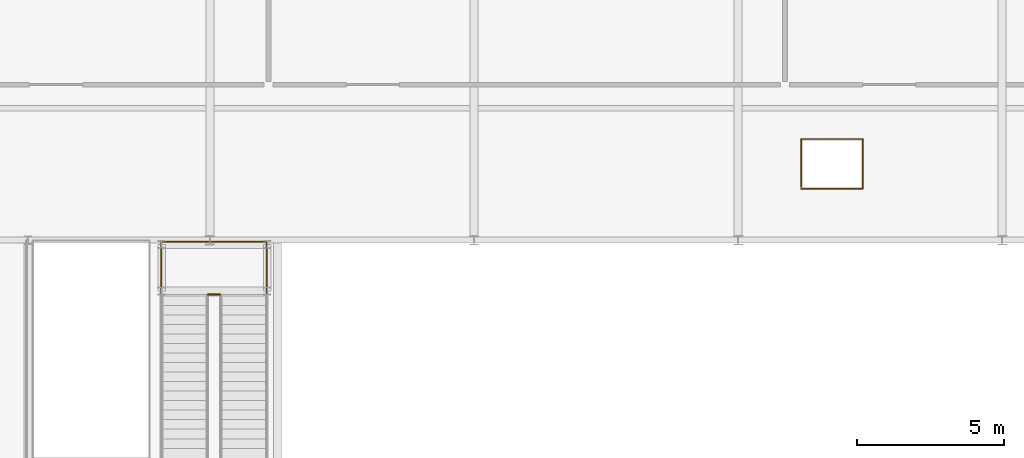
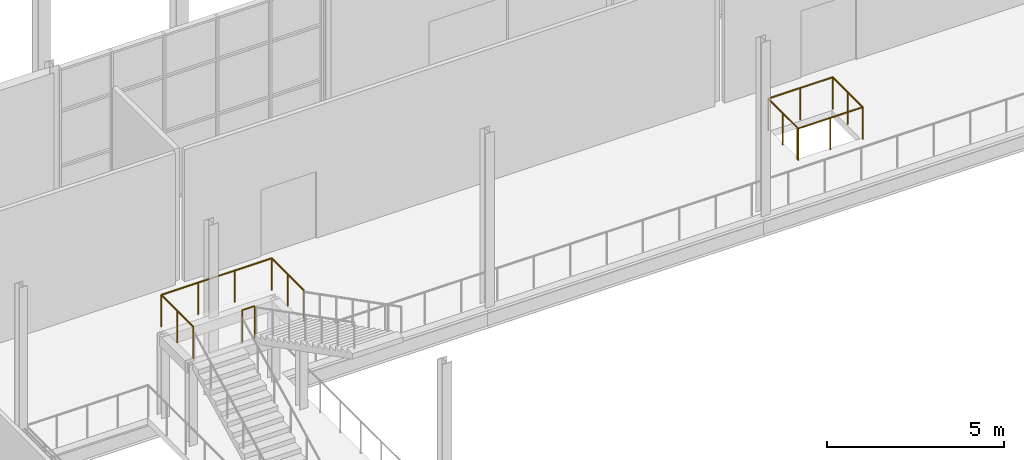
# One storey, part 151 of 159: 3 railings.
"""IFC4 building model written with IfcOpenShell, lengths in metres."""

from ifc_helpers import new_model, si_unit, direction, frame, origin, origin_2d, place, context, subcontext, project, spatial, circle, extrude, material, type_object, element, save


model = new_model("IFC4")

# Units and contexts
model_context = context("Model", 3, precision=1e-05, world=origin(), true_north=direction((0.0, 1.0)))
body_context = subcontext(model_context, "Body", "Model", "MODEL_VIEW")
ifc_project = project(units=[si_unit("LENGTHUNIT", "METRE"), si_unit("AREAUNIT", "SQUARE_METRE"), si_unit("VOLUMEUNIT", "CUBIC_METRE"), si_unit("PLANEANGLEUNIT", "RADIAN"), si_unit("MASSUNIT", "GRAM", prefix="KILO")], contexts=[model_context])

# Site, building, storey
site_placement = place(None, origin())
site = spatial("IfcSite", under=ifc_project, at=site_placement, CompositionType="ELEMENT")
building_placement = place(site_placement, origin())
building = spatial("IfcBuilding", under=site, at=building_placement, Name="Cazmaro Siding Exhibition Halls", CompositionType="ELEMENT")
storey_placement = place(building_placement, frame((0.0, 0.0, 6.0)))
storey = spatial("IfcBuildingStorey", under=building, at=storey_placement, Name="L01", CompositionType="ELEMENT", Elevation=6.0)

# Railings
ifc_material_1 = material(Name="Interior Laminated Glass and Brushed Stainless Steel Balustrade", Category="steel")
railing_type_1 = type_object("IfcRailingType", Name="RL-BAL-02", PredefinedType="BALUSTRADE", material=ifc_material_1)
railing_1_placement = place(storey_placement, frame((86.14990234375, 113.550048828125, 0.0)))
element("IfcRailing", 1, at=railing_1_placement, inside=storey, type_object=railing_type_1, Name="Gallery Void Guard L01 RL-BAL-02 RL-G017", PredefinedType="BALUSTRADE", context=body_context, shape_type="SweptSolid", body=[
    extrude(circle(Radius=0.02392578125, at=origin_2d()), frame((0.0, 0.0, 1.09619140625), z_axis=(1.0, 0.0, 0.0), x_axis=(0.0, 1.0, 0.0)), (0.0, 0.0, 1.0), 2.10009765625),
    extrude(circle(Radius=0.02392578125, at=origin_2d()), frame((2.10009765625, 0.0, 1.09619140625), z_axis=(0.0, 1.0, 0.0), x_axis=(-1.0, 0.0, 0.0)), (0.0, 0.0, 1.0), 1.699951171875),
    extrude(circle(Radius=0.02392578125, at=origin_2d()), frame((2.10009765625, 1.699951171875, 1.09619140625), z_axis=(-1.0, 0.0, 0.0), x_axis=(0.0, -1.0, 0.0)), (0.0, 0.0, 1.0), 2.10009765625),
    extrude(circle(Radius=0.02392578125, at=origin_2d()), frame((0.0, 1.699951171875, 1.09619140625), z_axis=(0.0, -1.0, 0.0), x_axis=(1.0, 0.0, 0.0)), (0.0, 0.0, 1.0), 1.639892578125),
    extrude(circle(Radius=0.02099609375, at=origin_2d()), origin(), (0.0, 0.0, 1.0), 1.072021484375),
    extrude(circle(Radius=0.02099609375, at=origin_2d()), frame((1.050048828125, 0.0, 0.0)), (0.0, 0.0, 1.0), 1.072021484375),
    extrude(circle(Radius=0.02099609375, at=origin_2d()), frame((2.10009765625, 0.0, 0.0)), (0.0, 0.0, 1.0), 1.072021484375),
    extrude(circle(Radius=0.02099609375, at=origin_2d()), frame((2.10009765625, 0.85009765625, 0.0)), (0.0, 0.0, 1.0), 1.072021484375),
    extrude(circle(Radius=0.02099609375, at=origin_2d()), frame((2.10009765625, 1.699951171875, 0.0)), (0.0, 0.0, 1.0), 1.072021484375),
    extrude(circle(Radius=0.02099609375, at=origin_2d()), frame((1.050048828125, 1.699951171875, 0.0)), (0.0, 0.0, 1.0), 1.072021484375),
    extrude(circle(Radius=0.02099609375, at=origin_2d()), frame((0.0, 1.699951171875, 0.0)), (0.0, 0.0, 1.0), 1.072021484375),
    extrude(circle(Radius=0.02099609375, at=origin_2d()), frame((0.0, 0.8798828125, 0.0)), (0.0, 0.0, 1.0), 1.072021484375),
    extrude(circle(Radius=0.02099609375, at=origin_2d()), frame((0.0, 0.06005859375, 0.0)), (0.0, 0.0, 1.0), 1.072021484375),
])
ifc_material_2 = material(Name="Painted Steel Stairwell Guardrail", Category="steel")
railing_type_2 = type_object("IfcRailingType", Name="RL-GRD-01", PredefinedType="GUARDRAIL", material=ifc_material_2)
railing_2_placement = place(storey_placement, frame((65.93505859375, 109.945068359375, 3.0)))
element("IfcRailing", 2, at=railing_2_placement, inside=storey, type_object=railing_type_2, Name="ST-23 Mid-Landing Slot Guard RL-GRD-01 RL-SG046", PredefinedType="GUARDRAIL", context=body_context, shape_type="SweptSolid", body=[
    extrude(circle(Radius=0.02392578125, at=origin_2d()), frame((0.0, 0.0, 1.09619140625), z_axis=(1.0, 0.0, 0.0), x_axis=(0.0, 1.0, 0.0)), (0.0, 0.0, 1.0), 0.409912109375),
    extrude(circle(Radius=0.02099609375, at=origin_2d()), origin(), (0.0, 0.0, 1.0), 1.072021484375),
    extrude(circle(Radius=0.02099609375, at=origin_2d()), frame((0.409912109375, 0.0, 0.0)), (0.0, 0.0, 1.0), 1.072021484375),
])
railing_3_placement = place(storey_placement, frame((64.340087890625, 109.93994140625, 3.0)))
element("IfcRailing", 3, at=railing_3_placement, inside=storey, type_object=railing_type_2, Name="ST-23 Mid-Landing Perimeter Guard RL-GRD-01 RL-SG047", PredefinedType="GUARDRAIL", context=body_context, shape_type="SweptSolid", body=[
    extrude(circle(Radius=0.02392578125, at=origin_2d()), frame((0.0, 0.0, 1.09619140625), z_axis=(0.0, 1.0, 0.0), x_axis=(-1.0, 0.0, 0.0)), (0.0, 0.0, 1.0), 1.800048828125),
    extrude(circle(Radius=0.02392578125, at=origin_2d()), frame((0.0, 1.800048828125, 1.09619140625), z_axis=(1.0, 0.0, 0.0), x_axis=(0.0, 1.0, 0.0)), (0.0, 0.0, 1.0), 3.599853515625),
    extrude(circle(Radius=0.02392578125, at=origin_2d()), frame((3.599853515625, 1.800048828125, 1.09619140625), z_axis=(0.0, -1.0, 0.0), x_axis=(1.0, 0.0, 0.0)), (0.0, 0.0, 1.0), 1.800048828125),
    extrude(circle(Radius=0.02099609375, at=origin_2d()), origin(), (0.0, 0.0, 1.0), 1.072021484375),
    extrude(circle(Radius=0.02099609375, at=origin_2d()), frame((0.0, 0.89990234375, 0.0)), (0.0, 0.0, 1.0), 1.072021484375),
    extrude(circle(Radius=0.02099609375, at=origin_2d()), frame((0.0, 1.800048828125, 0.0)), (0.0, 0.0, 1.0), 1.072021484375),
    extrude(circle(Radius=0.02099609375, at=origin_2d()), frame((1.199951171875, 1.800048828125, 0.0)), (0.0, 0.0, 1.0), 1.072021484375),
    extrude(circle(Radius=0.02099609375, at=origin_2d()), frame((2.39990234375, 1.800048828125, 0.0)), (0.0, 0.0, 1.0), 1.072021484375),
    extrude(circle(Radius=0.02099609375, at=origin_2d()), frame((3.599853515625, 1.800048828125, 0.0)), (0.0, 0.0, 1.0), 1.072021484375),
    extrude(circle(Radius=0.02099609375, at=origin_2d()), frame((3.599853515625, 0.89990234375, 0.0)), (0.0, 0.0, 1.0), 1.072021484375),
    extrude(circle(Radius=0.02099609375, at=origin_2d()), frame((3.599853515625, 0.0, 0.0)), (0.0, 0.0, 1.0), 1.072021484375),
])

save(model, "model.ifc")
